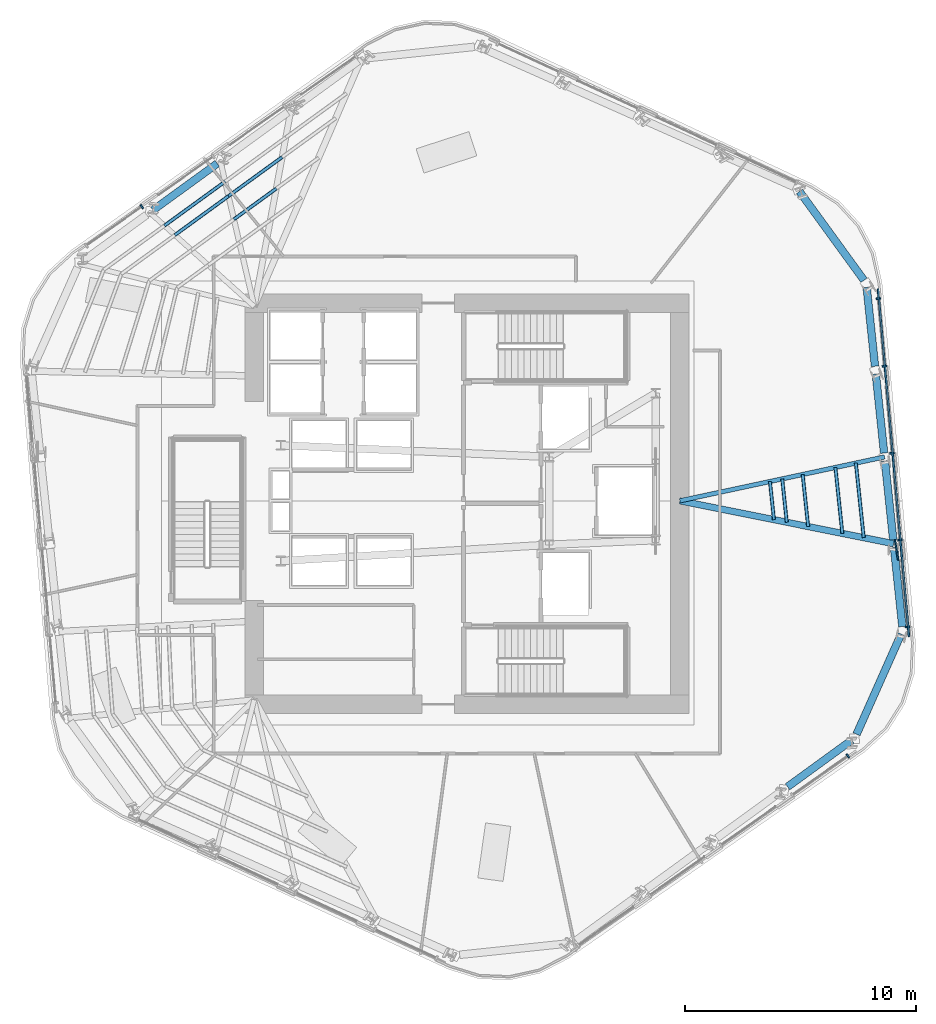
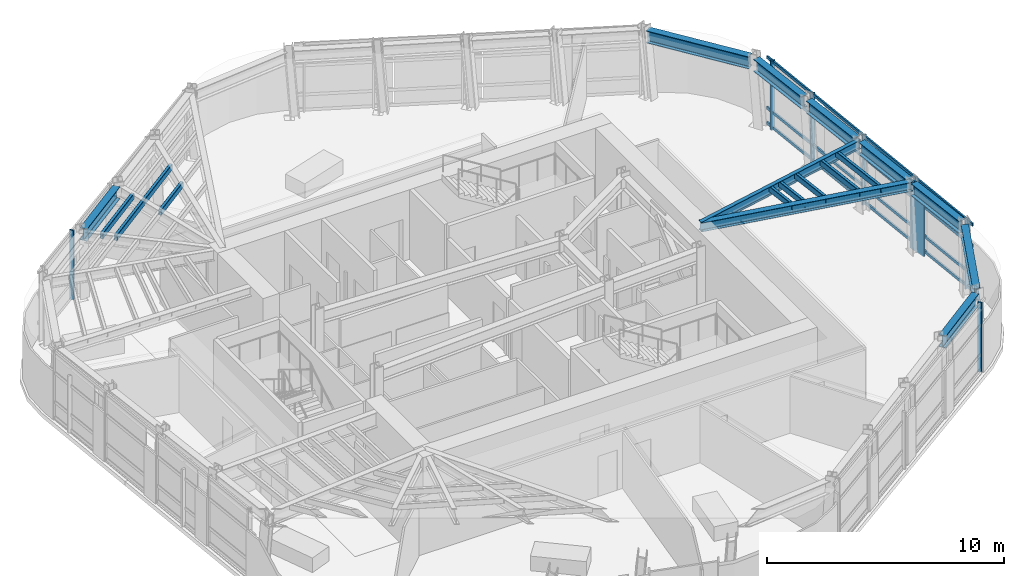
# One storey, part 5 of 14: 21 members, 10 beams, 3 elements without a shape of their own.
"""IFC4 building model written with IfcOpenShell, lengths in metres."""

from ifc_helpers import new_model, si_unit, direction, frame, origin, origin_2d, place, context, subcontext, project, spatial, rectangle, hollow_rectangle, i_section, extrude, material, layer, layer_set, material_profile, profile_set, type_object, element, aggregate, save


model = new_model("IFC4")

# Units and contexts
model_context = context("Model", 3, precision=1e-05, world=origin(), true_north=direction((0.0, 1.0)))
body_context = subcontext(model_context, "Body", "Model", "MODEL_VIEW")
ifc_project = project(units=[si_unit("LENGTHUNIT", "METRE"), si_unit("AREAUNIT", "SQUARE_METRE"), si_unit("VOLUMEUNIT", "CUBIC_METRE"), si_unit("PLANEANGLEUNIT", "RADIAN"), si_unit("MASSUNIT", "GRAM", prefix="KILO")], contexts=[model_context])

# Site, building, storey
site_placement = place(None, origin())
site = spatial("IfcSite", under=ifc_project, at=site_placement, CompositionType="ELEMENT")
building_placement = place(site_placement, origin())
building = spatial("IfcBuilding", under=site, at=building_placement, Name="Valkerne Bourse Tower", CompositionType="ELEMENT")
storey_placement = place(building_placement, frame((0.0, 0.0, 174.199951171875)))
storey = spatial("IfcBuildingStorey", under=building, at=storey_placement, Name="L44", CompositionType="ELEMENT", Elevation=174.199951171875)

# Beams
ifc_material_1 = material(Name="Steel ASTM A992", Category="steel")
ifc_material_profile_1 = material_profile(ifc_material_1, i_section(OverallWidth=0.1904296875, OverallDepth=0.457275390625, WebThickness=0.009033203125, FlangeThickness=0.014404296875, FilletRadius=0.01513671875, at=origin_2d()), Name="W18X50")
ifc_profile_set_1 = profile_set([ifc_material_profile_1], Name="Steel ASTM A992")
beam_type_1 = type_object("IfcBeamType", Name="BM-W18X50", PredefinedType="JOIST", material=ifc_profile_set_1)
beam_1_placement = place(storey_placement, frame((64.84375, 28.896484375, 3.3515625), z_axis=(-0.97777080216, -0.209676556735, 0.0), x_axis=(0.209676556735, -0.97777080216, 0.0)))
element("IfcBeam", 1, at=beam_1_placement, inside=storey, type_object=beam_type_1, Name="L44 Radial Composite Floor Beam 27", PredefinedType="JOIST", context=body_context, shape_type="SweptSolid", body=[
    extrude(i_section(OverallWidth=0.1904296875, OverallDepth=0.457275390625, WebThickness=0.009033203125, FlangeThickness=0.014404296875, FilletRadius=0.01513671875, at=origin_2d()), origin(), (0.0, 0.0, 1.0), 9.044921875),
])
ifc_material_profile_2 = material_profile(ifc_material_1, i_section(OverallWidth=0.279296875, OverallDepth=0.46240234375, WebThickness=0.0107421875, FlangeThickness=0.017333984375, FilletRadius=0.017822265625, at=origin_2d()), Name="W18X76")
ifc_profile_set_2 = profile_set([ifc_material_profile_2], Name="Steel ASTM A992")
beam_type_2 = type_object("IfcBeamType", Name="BM-W18X76", PredefinedType="BEAM", material=ifc_profile_set_2)
beam_2_placement = place(storey_placement, frame((65.238037109375, 25.14599609375, 3.348876953125), z_axis=(-0.98044990637, 0.196768851951, 0.0), x_axis=(-0.196768851951, -0.98044990637, 0.0)))
element("IfcBeam", 2, at=beam_2_placement, inside=storey, type_object=beam_type_2, Name="L44 Radial Composite Floor Beam 26", PredefinedType="BEAM", context=body_context, shape_type="SweptSolid", body=[
    extrude(i_section(OverallWidth=0.279296875, OverallDepth=0.46240234375, WebThickness=0.0107421875, FlangeThickness=0.017333984375, FilletRadius=0.017822265625, at=origin_2d()), origin(), (0.0, 0.0, 1.0), 9.42236328125),
])
ifc_material_profile_3 = material_profile(ifc_material_1, i_section(OverallWidth=0.32763671875, OverallDepth=0.62744140625, WebThickness=0.0166015625, FlangeThickness=0.027587890625, FilletRadius=0.020263671875, at=origin_2d()), Name="W24X146")
ifc_profile_set_3 = profile_set([ifc_material_profile_3], Name="Steel ASTM A992")
beam_type_3 = type_object("IfcBeamType", Name="BM-W24X146", PredefinedType="SPANDREL", material=ifc_profile_set_3)
for number, where, z_axis, x_axis, name in (
    (3, (35.998291015625, 41.578369140625, 3.266357421875), (-0.809009839624, -0.587795099836, 0.0), (0.587795099836, -0.809009839624, 0.0), "L44 Hexagonal Spandrel Ring Beam 07"),
    (4, (60.652587890625, 14.63818359375, 3.266357421875), (0.809009839624, 0.587795099836, 0.0), (-0.587795099836, 0.809009839624, 0.0), "L44 Hexagonal Spandrel Ring Beam 23"),
):
    element("IfcBeam", number, at=place(storey_placement, frame(where, z_axis=z_axis, x_axis=x_axis)), inside=storey, type_object=beam_type_3, Name=name, PredefinedType="SPANDREL", context=body_context, shape_type="SweptSolid", body=[
        extrude(i_section(OverallWidth=0.32763671875, OverallDepth=0.62744140625, WebThickness=0.0166015625, FlangeThickness=0.027587890625, FilletRadius=0.020263671875, at=origin_2d()), origin(), (0.0, 0.0, 1.0), 3.43115234375),
    ])
beam_3_placement = place(storey_placement, frame((63.635009765625, 16.91015625, 3.266357421875), z_axis=(0.40673573218, 0.913545863199, 0.0), x_axis=(-0.913545863199, 0.40673573218, 0.0)))
element("IfcBeam", 5, at=beam_3_placement, inside=storey, type_object=beam_type_3, Name="L44 Hexagonal Spandrel Ring Beam 24", PredefinedType="SPANDREL", context=body_context, shape_type="SweptSolid", body=[
    extrude(i_section(OverallWidth=0.32763671875, OverallDepth=0.62744140625, WebThickness=0.0166015625, FlangeThickness=0.027587890625, FilletRadius=0.020263671875, at=origin_2d()), origin(), (0.0, 0.0, 1.0), 4.740234375),
])
for number, where, z_axis, x_axis, name in (
    (6, (65.614501953125, 21.56494140625, 3.266357421875), (-0.10453291195, 0.994521427783, 0.0), (-0.994521427783, -0.10453291195, 0.0), "L44 Hexagonal Spandrel Ring Beam 25"),
    (7, (65.22021484375, 25.315185546875, 3.266357421875), (-0.10453291195, 0.994521427783, 0.0), (-0.994521427783, -0.10453291195, 0.0), "L44 Hexagonal Spandrel Ring Beam 26"),
    (8, (64.825927734375, 29.065673828125, 3.266357421875), (-0.104462529499, 0.994528823077, 0.0), (-0.994528823077, -0.104462529499, 0.0), "L44 Hexagonal Spandrel Ring Beam 27"),
    (9, (64.431884765625, 32.81591796875, 3.266357421875), (-0.10453291195, 0.994521427783, 0.0), (-0.994521427783, -0.10453291195, 0.0), "L44 Hexagonal Spandrel Ring Beam 28"),
):
    element("IfcBeam", number, at=place(storey_placement, frame(where, z_axis=z_axis, x_axis=x_axis)), inside=storey, type_object=beam_type_3, Name=name, PredefinedType="SPANDREL", context=body_context, shape_type="SweptSolid", body=[
        extrude(i_section(OverallWidth=0.32763671875, OverallDepth=0.62744140625, WebThickness=0.0166015625, FlangeThickness=0.027587890625, FilletRadius=0.020263671875, at=origin_2d()), origin(), (0.0, 0.0, 1.0), 3.430908203125),
    ])
beam_4_placement = place(storey_placement, frame((63.95556640625, 36.53466796875, 3.266357421875), z_axis=(-0.58776738483, 0.809029975545, 0.0), x_axis=(-0.809029975545, -0.58776738483, 0.0)))
element("IfcBeam", 10, at=beam_4_placement, inside=storey, type_object=beam_type_3, Name="L44 Hexagonal Spandrel Ring Beam 29", PredefinedType="SPANDREL", context=body_context, shape_type="SweptSolid", body=[
    extrude(i_section(OverallWidth=0.32763671875, OverallDepth=0.62744140625, WebThickness=0.0166015625, FlangeThickness=0.027587890625, FilletRadius=0.020263671875, at=origin_2d()), origin(), (0.0, 0.0, 1.0), 4.740234375),
])

# Curtain wall, member
ifc_material_2 = material(Name="Aluminium AA 6063-T6", Category="aluminium")
ifc_layer = layer(ifc_material_2, 0.235107421875)
ifc_layer_set = layer_set([ifc_layer], Name="Aluminium AA 6063-T6")
curtain_wall_type = type_object("IfcCurtainWallType", Name="CW-03", PredefinedType="NOTDEFINED", material=ifc_layer_set)
curtain_wall_1_placement = place(storey_placement, origin())
curtain_wall_1 = element("IfcCurtainWall", 11, at=curtain_wall_1_placement, inside=storey, type_object=curtain_wall_type, Name="L44 Hexagonal Stick Curtain Wall Face 2", PredefinedType="NOTDEFINED")
ifc_material_profile_4 = material_profile(ifc_material_2, rectangle(XDim=0.074951171875, YDim=0.199951171875, at=origin_2d()), Name="CWM-75X200")
ifc_profile_set_4 = profile_set([ifc_material_profile_4], Name="Aluminium AA 6063-T6")
member_type_1 = type_object("IfcMemberType", Name="CW-MUL-220X75", PredefinedType="MULLION", material=ifc_profile_set_4)
member_1_placement = place(storey_placement, frame((32.7431640625, 39.712158203125, 0.0), z_axis=(0.0, 0.0, 1.0), x_axis=(-0.818151573339, -0.575002611335, 0.0)))
member_1 = element("IfcMember", 12, at=member_1_placement, type_object=member_type_1, Name="CW-L44-F2 Jamb Mullion 03A", PredefinedType="MULLION", context=body_context, shape_type="SweptSolid", body=[
    extrude(rectangle(XDim=0.074951171875, YDim=0.199951171875, at=origin_2d()), origin(), (0.0, 0.0, 1.0), 3.580078125),
])
aggregate(curtain_wall_1, [member_1])

curtain_wall_2_placement = place(storey_placement, origin())
curtain_wall_2 = element("IfcCurtainWall", 13, at=curtain_wall_2_placement, inside=storey, type_object=curtain_wall_type, Name="L44 Hexagonal Stick Curtain Wall Face 5", PredefinedType="NOTDEFINED")
member_2_placement = place(storey_placement, frame((63.2548828125, 15.97314453125, 0.0), z_axis=(0.0, 0.0, 1.0), x_axis=(0.818151573339, 0.575002611335, 0.0)))
member_2 = element("IfcMember", 14, at=member_2_placement, type_object=member_type_1, Name="CW-L44-F5 Jamb Mullion 03B", PredefinedType="MULLION", context=body_context, shape_type="SweptSolid", body=[
    extrude(rectangle(XDim=0.074951171875, YDim=0.199951171875, at=origin_2d()), origin(), (0.0, 0.0, 1.0), 3.580078125),
])
aggregate(curtain_wall_2, [member_2])

# Curtain wall, members
curtain_wall_3_placement = place(storey_placement, origin())
curtain_wall_3 = element("IfcCurtainWall", 15, at=curtain_wall_3_placement, inside=storey, type_object=curtain_wall_type, Name="L44 Hexagonal Stick Curtain Wall Face 6", PredefinedType="NOTDEFINED")
member_3_placement = place(storey_placement, frame((65.843017578125, 21.54931640625, 0.0), z_axis=(0.0, 0.0, 1.0), x_axis=(-0.088888247408, 0.996041605292, 0.0)))
member_3 = element("IfcMember", 16, at=member_3_placement, type_object=member_type_1, Name="CW-L44-F6 Jamb Mullion 00A", PredefinedType="MULLION", context=body_context, shape_type="SweptSolid", body=[
    extrude(rectangle(XDim=0.074951171875, YDim=0.199951171875, at=origin_2d()), origin(), (0.0, 0.0, 1.0), 3.580078125),
])
member_4_placement = place(storey_placement, frame((65.5078125, 25.305419921875, 0.0), z_axis=(0.0, 0.0, 1.0), x_axis=(-0.088890595284, 0.996041395761, 0.0)))
member_4 = element("IfcMember", 17, at=member_4_placement, type_object=member_type_1, Name="CW-L44-F6 Jamb Mullion 01A", PredefinedType="MULLION", context=body_context, shape_type="SweptSolid", body=[
    extrude(rectangle(XDim=0.074951171875, YDim=0.199951171875, at=origin_2d()), origin(), (0.0, 0.0, 1.0), 3.580078125),
])
member_5_placement = place(storey_placement, frame((65.172607421875, 29.061279296875, 0.0), z_axis=(0.0, 0.0, 1.0), x_axis=(-0.088888247408, 0.996041605292, 0.0)))
member_5 = element("IfcMember", 18, at=member_5_placement, type_object=member_type_1, Name="CW-L44-F6 Jamb Mullion 02A", PredefinedType="MULLION", context=body_context, shape_type="SweptSolid", body=[
    extrude(rectangle(XDim=0.074951171875, YDim=0.199951171875, at=origin_2d()), origin(), (0.0, 0.0, 1.0), 3.580078125),
])
member_6_placement = place(storey_placement, frame((64.83740234375, 32.8173828125, 0.0), z_axis=(0.0, 0.0, 1.0), x_axis=(-0.088888247408, 0.996041605292, 0.0)))
member_6 = element("IfcMember", 19, at=member_6_placement, type_object=member_type_1, Name="CW-L44-F6 Jamb Mullion 03A", PredefinedType="MULLION", context=body_context, shape_type="SweptSolid", body=[
    extrude(rectangle(XDim=0.074951171875, YDim=0.199951171875, at=origin_2d()), origin(), (0.0, 0.0, 1.0), 3.580078125),
])
member_7_placement = place(storey_placement, frame((64.576904296875, 35.73681640625, 0.0), z_axis=(0.0, 0.0, 1.0), x_axis=(-0.088888247408, 0.996041605292, 0.0)))
member_7 = element("IfcMember", 20, at=member_7_placement, type_object=member_type_1, Name="CW-L44-F6 Jamb Mullion 03B", PredefinedType="MULLION", context=body_context, shape_type="SweptSolid", body=[
    extrude(rectangle(XDim=0.074951171875, YDim=0.199951171875, at=origin_2d()), origin(), (0.0, 0.0, 1.0), 3.580078125),
])
ifc_material_profile_5 = material_profile(ifc_material_2, rectangle(XDim=0.074951171875, YDim=0.14990234375, at=origin_2d()), Name="CWT-75X150")
ifc_profile_set_5 = profile_set([ifc_material_profile_5], Name="Aluminium AA 6063-T6")
member_type_2 = type_object("IfcMemberType", Name="CW-TRN-180X65", PredefinedType="USERDEFINED", material=ifc_profile_set_5)
member_8_placement = place(storey_placement, frame((65.900390625, 21.1328125, 0.1201171875), z_axis=(-0.088890933872, 0.996041365544, 0.0), x_axis=(-0.996041365544, -0.088890933872, 0.0)))
member_8 = element("IfcMember", 21, at=member_8_placement, type_object=member_type_2, Name="CW-L44-F6 Continuous Face Transom 1", ObjectType="TRANSOM", PredefinedType="USERDEFINED", context=body_context, shape_type="SweptSolid", body=[
    extrude(rectangle(XDim=0.074951171875, YDim=0.14990234375, at=origin_2d()), origin(), (0.0, 0.0, 1.0), 15.083984375),
])
member_9_placement = place(storey_placement, frame((65.900390625, 21.1328125, 0.900146484375), z_axis=(-0.088890933872, 0.996041365544, 0.0), x_axis=(-0.996041365544, -0.088890933872, 0.0)))
member_9 = element("IfcMember", 22, at=member_9_placement, type_object=member_type_2, Name="CW-L44-F6 Continuous Face Transom 2", ObjectType="TRANSOM", PredefinedType="USERDEFINED", context=body_context, shape_type="SweptSolid", body=[
    extrude(rectangle(XDim=0.074951171875, YDim=0.14990234375, at=origin_2d()), origin(), (0.0, 0.0, 1.0), 15.083984375),
])
member_10_placement = place(storey_placement, frame((65.900390625, 21.1328125, 2.400146484375), z_axis=(-0.088890933872, 0.996041365544, 0.0), x_axis=(-0.996041365544, -0.088890933872, 0.0)))
member_10 = element("IfcMember", 23, at=member_10_placement, type_object=member_type_2, Name="CW-L44-F6 Continuous Face Transom 3", ObjectType="TRANSOM", PredefinedType="USERDEFINED", context=body_context, shape_type="SweptSolid", body=[
    extrude(rectangle(XDim=0.074951171875, YDim=0.14990234375, at=origin_2d()), origin(), (0.0, 0.0, 1.0), 15.083984375),
])
member_11_placement = place(storey_placement, frame((65.900390625, 21.1328125, 3.5), z_axis=(-0.088890933872, 0.996041365544, 0.0), x_axis=(-0.996041365544, -0.088890933872, 0.0)))
member_11 = element("IfcMember", 24, at=member_11_placement, type_object=member_type_2, Name="CW-L44-F6 Continuous Face Transom 4", ObjectType="TRANSOM", PredefinedType="USERDEFINED", context=body_context, shape_type="SweptSolid", body=[
    extrude(rectangle(XDim=0.074951171875, YDim=0.14990234375, at=origin_2d()), origin(), (0.0, 0.0, 1.0), 15.083984375),
])
aggregate(curtain_wall_3, [member_8, member_9, member_10, member_11, member_3, member_4, member_5, member_6, member_7])

# Members
ifc_material_3 = material(Name="Bronze Anodised Aluminium AA 6063-T6", Category="aluminium")
ifc_material_profile_6 = material_profile(ifc_material_3, rectangle(XDim=0.070068359375, YDim=0.89990234375, at=origin_2d()), Name="FIN-70X900")
ifc_profile_set_6 = profile_set([ifc_material_profile_6], Name="Bronze Anodised Aluminium AA 6063-T6")
member_type_3 = type_object("IfcMemberType", Name="FIN-SOLAR-900", PredefinedType="USERDEFINED", material=ifc_profile_set_6)
member_12_placement = place(storey_placement, frame((65.365966796875, 24.87109375, 0.004150390625), z_axis=(0.0, 0.0, 1.0), x_axis=(0.985894914207, 0.167365522558, 0.0)))
element("IfcMember", 25, at=member_12_placement, inside=storey, type_object=member_type_3, Name="L44 Bronze Anodised Solar Fin F6-01", ObjectType="SOLAR_FIN", PredefinedType="USERDEFINED", context=body_context, shape_type="SweptSolid", body=[
    extrude(rectangle(XDim=0.070068359375, YDim=0.89990234375, at=origin_2d()), origin(), (0.0, 0.0, 1.0), 3.57177734375),
])
ifc_material_4 = material(Name="Steel ASTM A500 Grade C", Category="steel")
ifc_material_profile_7 = material_profile(ifc_material_4, hollow_rectangle(XDim=0.14990234375, YDim=0.300048828125, WallThickness=0.012451171875, OuterFilletRadius=0.02490234375, at=origin_2d()), Name="HSS300X150X12.5")
ifc_profile_set_7 = profile_set([ifc_material_profile_7], Name="Steel ASTM A500 Grade C")
member_type_4 = type_object("IfcMemberType", Name="MBR-HSS300X150X12.5", PredefinedType="PURLIN", material=ifc_profile_set_7)
member_13_placement = place(storey_placement, frame((60.064697265625, 26.184326171875, 3.420166015625), z_axis=(-0.104470318609, 0.9945280049, 0.0), x_axis=(-0.9945280049, -0.104470318609, 0.0)))
element("IfcMember", 26, at=member_13_placement, inside=storey, type_object=member_type_4, Name="L44 Secondary Composite Floor Purlin K-26", PredefinedType="PURLIN", context=body_context, shape_type="SweptSolid", body=[
    extrude(hollow_rectangle(XDim=0.14990234375, YDim=0.300048828125, WallThickness=0.012451171875, OuterFilletRadius=0.02490234375, at=origin_2d()), origin(), (0.0, 0.0, 1.0), 1.6591796875),
])
member_14_placement = place(storey_placement, frame((60.618896484375, 26.072998046875, 3.420166015625), z_axis=(-0.104489322847, 0.994526008414, 0.0), x_axis=(-0.994526008414, -0.104489322847, 0.0)))
element("IfcMember", 27, at=member_14_placement, inside=storey, type_object=member_type_4, Name="L44 Secondary Composite Floor Purlin M-26", PredefinedType="PURLIN", context=body_context, shape_type="SweptSolid", body=[
    extrude(hollow_rectangle(XDim=0.14990234375, YDim=0.300048828125, WallThickness=0.012451171875, OuterFilletRadius=0.02490234375, at=origin_2d()), origin(), (0.0, 0.0, 1.0), 1.885498046875),
])
for number, where, z_axis, x_axis, name in (
    (28, (38.8056640625, 41.85595703125, 3.420166015625), (-0.809015956887, -0.58778668027, 0.0), (0.58778668027, -0.809015956887, 0.0), "L44 Secondary Composite Floor Purlin O-06"),
    (29, (36.487060546875, 40.17138671875, 3.420166015625), (-0.809015956887, -0.58778668027, 0.0), (0.58778668027, -0.809015956887, 0.0), "L44 Secondary Composite Floor Purlin O-07"),
    (30, (63.02099609375, 25.591064453125, 3.420166015625), (-0.10460496869, 0.994513851349, 0.0), (-0.994513851349, -0.10460496869, 0.0), "L44 Secondary Composite Floor Purlin O-26"),
):
    element("IfcMember", number, at=place(storey_placement, frame(where, z_axis=z_axis, x_axis=x_axis)), inside=storey, type_object=member_type_4, Name=name, PredefinedType="PURLIN", context=body_context, shape_type="SweptSolid", body=[
        extrude(hollow_rectangle(XDim=0.14990234375, YDim=0.300048828125, WallThickness=0.012451171875, OuterFilletRadius=0.02490234375, at=origin_2d()), origin(), (0.0, 0.0, 1.0), 2.865966796875),
    ])
for number, where, z_axis, x_axis, name in (
    (31, (38.552001953125, 40.496826171875, 3.420166015625), (-0.809048594005, -0.587741756674, 0.0), (0.587741756674, -0.809048594005, 0.0), "L44 Secondary Composite Floor Purlin Z-06"),
    (32, (61.542724609375, 25.8876953125, 3.420166015625), (-0.10444887587, 0.994530257121, 0.0), (-0.994530257121, -0.10444887587, 0.0), "L44 Secondary Composite Floor Purlin Z-26"),
):
    element("IfcMember", number, at=place(storey_placement, frame(where, z_axis=z_axis, x_axis=x_axis)), inside=storey, type_object=member_type_4, Name=name, PredefinedType="PURLIN", context=body_context, shape_type="SweptSolid", body=[
        extrude(hollow_rectangle(XDim=0.14990234375, YDim=0.300048828125, WallThickness=0.012451171875, OuterFilletRadius=0.02490234375, at=origin_2d()), origin(), (0.0, 0.0, 1.0), 2.2626953125),
    ])
member_15_placement = place(storey_placement, frame((36.3408203125, 40.79931640625, 3.420166015625), z_axis=(-0.809022455156, -0.587777736099, 0.0), x_axis=(0.587777736099, -0.809022455156, 0.0)))
element("IfcMember", 33, at=member_15_placement, inside=storey, type_object=member_type_4, Name="L44 Secondary Composite Floor Purlin T-07", PredefinedType="PURLIN", context=body_context, shape_type="SweptSolid", body=[
    extrude(hollow_rectangle(XDim=0.14990234375, YDim=0.300048828125, WallThickness=0.012451171875, OuterFilletRadius=0.02490234375, at=origin_2d()), origin(), (0.0, 0.0, 1.0), 3.2431640625),
])
member_16_placement = place(storey_placement, frame((63.944580078125, 25.405517578125, 3.420166015625), z_axis=(-0.104481025554, 0.994526880129, 0.0), x_axis=(-0.994526880129, -0.104481025554, 0.0)))
element("IfcMember", 34, at=member_16_placement, inside=storey, type_object=member_type_4, Name="L44 Secondary Composite Floor Purlin T-26", PredefinedType="PURLIN", context=body_context, shape_type="SweptSolid", body=[
    extrude(hollow_rectangle(XDim=0.14990234375, YDim=0.300048828125, WallThickness=0.012451171875, OuterFilletRadius=0.02490234375, at=origin_2d()), origin(), (0.0, 0.0, 1.0), 3.243408203125),
])

save(model, "model.ifc")
